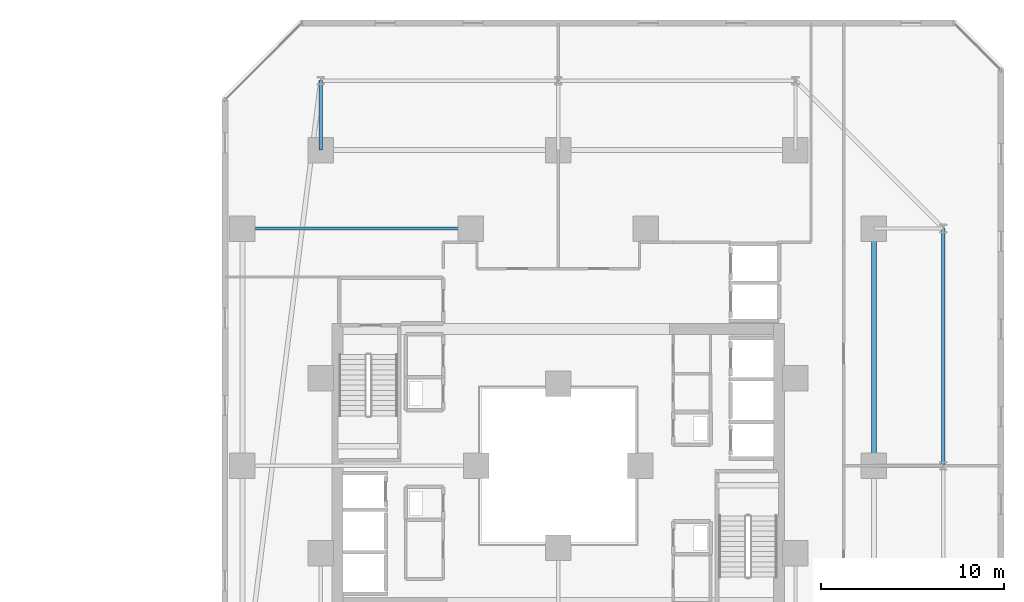
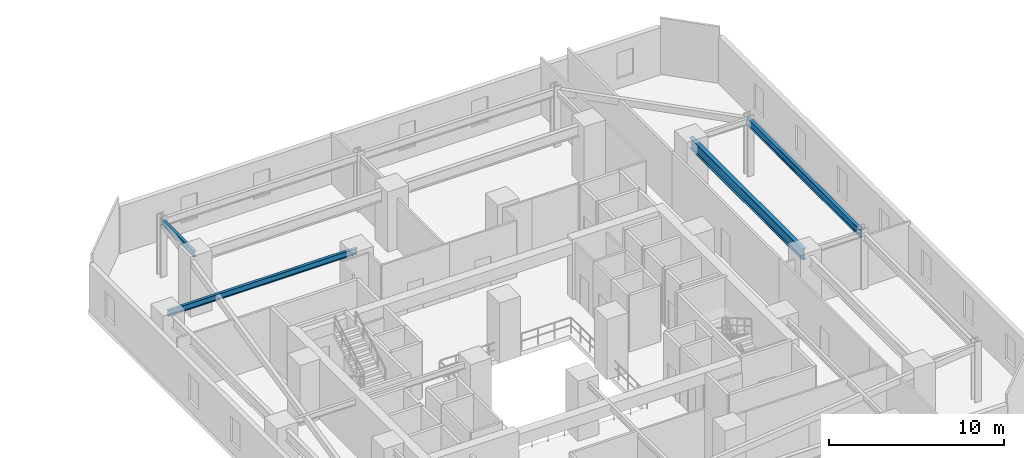
# One storey, part 13 of 33: 4 beams.
"""IFC4 building model written with IfcOpenShell, lengths in metres."""

from ifc_helpers import new_model, si_unit, direction, frame, origin, origin_2d, place, context, subcontext, project, spatial, i_section, extrude, material, material_profile, profile_set, type_object, element, save


model = new_model("IFC4")

# Units and contexts
model_context = context("Model", 3, precision=1e-05, world=origin(), true_north=direction((0.0, 1.0)))
body_context = subcontext(model_context, "Body", "Model", "MODEL_VIEW")
ifc_project = project(units=[si_unit("LENGTHUNIT", "METRE"), si_unit("AREAUNIT", "SQUARE_METRE"), si_unit("VOLUMEUNIT", "CUBIC_METRE"), si_unit("PLANEANGLEUNIT", "RADIAN"), si_unit("MASSUNIT", "GRAM", prefix="KILO")], contexts=[model_context])

# Site, building, storey
site_placement = place(None, origin())
site = spatial("IfcSite", under=ifc_project, at=site_placement, CompositionType="ELEMENT")
building_placement = place(site_placement, origin())
building = spatial("IfcBuilding", under=site, at=building_placement, Name="Thornwick Lancets Civic Towers", CompositionType="ELEMENT")
storey_placement = place(building_placement, frame((0.0, 0.0, 49.5)))
storey = spatial("IfcBuildingStorey", under=building, at=storey_placement, Name="L12", CompositionType="ELEMENT", Elevation=49.5)

# Beams
ifc_material = material(Name="Steel S355JR", Category="steel")
ifc_material_profile_1 = material_profile(ifc_material, i_section(OverallWidth=0.2119140625, OverallDepth=0.54443359375, WebThickness=0.0126953125, FlangeThickness=0.021240234375, FilletRadius=0.0126953125, at=origin_2d()), Name="UKB 533x210x122")
ifc_profile_set_1 = profile_set([ifc_material_profile_1], Name="Steel S355JR")
beam_type_1 = type_object("IfcBeamType", Name="BM_EDGE_533_122", PredefinedType="SPANDREL", material=ifc_profile_set_1)
beam_1_placement = place(storey_placement, frame((109.60009765625, 27.080078125, 3.687744140625), z_axis=(0.0, 1.0, 0.0), x_axis=(-1.0, 0.0, 0.0)))
element("IfcBeam", 1, at=beam_1_placement, inside=storey, type_object=beam_type_1, Name="BM-EDGE-L12-B-S0-2", PredefinedType="SPANDREL", context=body_context, shape_type="SweptSolid", body=[
    extrude(i_section(OverallWidth=0.2119140625, OverallDepth=0.54443359375, WebThickness=0.0126953125, FlangeThickness=0.021240234375, FilletRadius=0.0126953125, at=origin_2d()), origin(), (0.0, 0.0, 1.0), 12.919921875),
])
ifc_material_profile_2 = material_profile(ifc_material, i_section(OverallWidth=0.26806640625, OverallDepth=0.769775390625, WebThickness=0.015625, FlangeThickness=0.025390625, FilletRadius=0.0166015625, at=origin_2d()), Name="UKB 762x267x197")
ifc_profile_set_2 = profile_set([ifc_material_profile_2], Name="Steel S355JR")
beam_type_2 = type_object("IfcBeamType", Name="BM_GIRD_762_197", PredefinedType="BEAM", material=ifc_profile_set_2)
beam_2_placement = place(storey_placement, frame((105.800048828125, 27.080078125, 3.5751953125), z_axis=(0.0, 1.0, 0.0), x_axis=(-1.0, 0.0, 0.0)))
element("IfcBeam", 2, at=beam_2_placement, inside=storey, type_object=beam_type_2, Name="BM-SPINE-L12-B-1-2", PredefinedType="BEAM", context=body_context, shape_type="SweptSolid", body=[
    extrude(i_section(OverallWidth=0.26806640625, OverallDepth=0.769775390625, WebThickness=0.015625, FlangeThickness=0.025390625, FilletRadius=0.0166015625, at=origin_2d()), origin(), (0.0, 0.0, 1.0), 12.919921875),
])
ifc_material_profile_3 = material_profile(ifc_material, i_section(OverallWidth=0.179443359375, OverallDepth=0.412841796875, WebThickness=0.009521484375, FlangeThickness=0.01611328125, FilletRadius=0.01025390625, at=origin_2d()), Name="UKB 406x178x74")
ifc_profile_set_3 = profile_set([ifc_material_profile_3], Name="Steel S355JR")
beam_type_3 = type_object("IfcBeamType", Name="BM_JOIST_406_74", PredefinedType="JOIST", material=ifc_profile_set_3)
beam_3_placement = place(storey_placement, frame((75.5, 44.300048828125, 3.753662109375), z_axis=(0.0, 1.0, 0.0), x_axis=(-1.0, 0.0, 0.0)))
element("IfcBeam", 3, at=beam_3_placement, inside=storey, type_object=beam_type_3, Name="BM-RAD-L12-B06", PredefinedType="JOIST", context=body_context, shape_type="SweptSolid", body=[
    extrude(i_section(OverallWidth=0.179443359375, OverallDepth=0.412841796875, WebThickness=0.009521484375, FlangeThickness=0.01611328125, FilletRadius=0.01025390625, at=origin_2d()), origin(), (0.0, 0.0, 1.0), 3.800048828125),
])
beam_4_placement = place(storey_placement, frame((83.699951171875, 40.0, 3.753662109375), z_axis=(-1.0, 0.0, 0.0), x_axis=(0.0, -1.0, 0.0)))
element("IfcBeam", 4, at=beam_4_placement, inside=storey, type_object=beam_type_3, Name="BM-RADIN-L12-B09", PredefinedType="JOIST", context=body_context, shape_type="SweptSolid", body=[
    extrude(i_section(OverallWidth=0.179443359375, OverallDepth=0.412841796875, WebThickness=0.009521484375, FlangeThickness=0.01611328125, FilletRadius=0.01025390625, at=origin_2d()), origin(), (0.0, 0.0, 1.0), 12.5),
])

save(model, "model.ifc")
